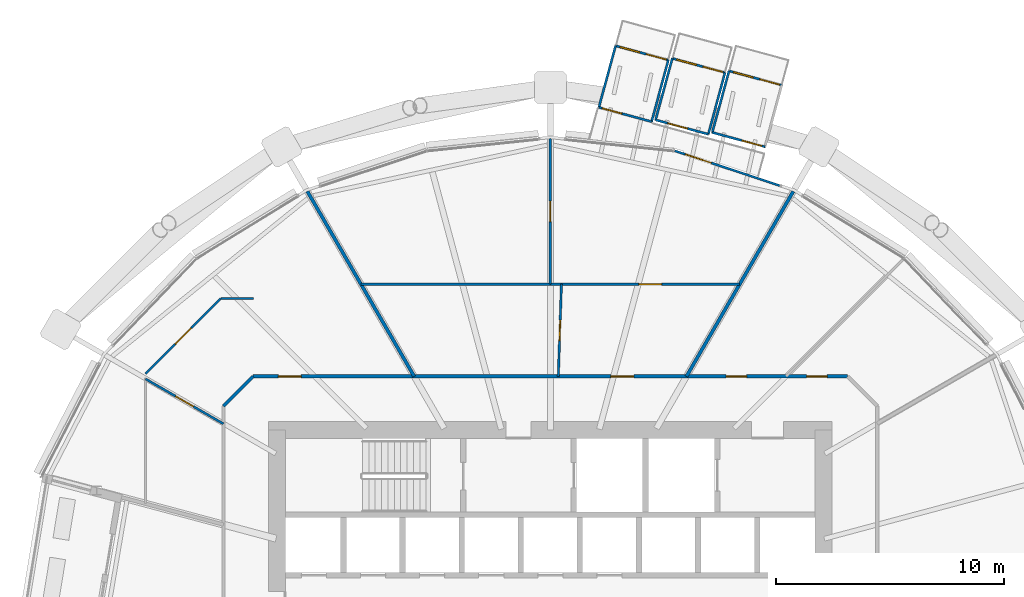
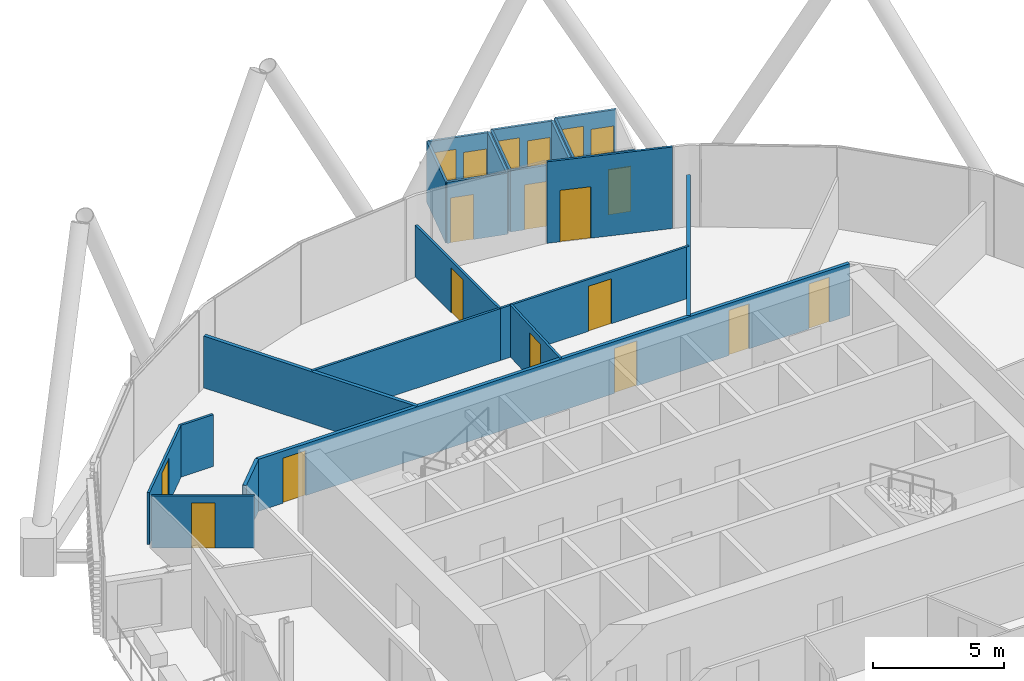
# One storey, part 26 of 38: 23 walls, 16 doors, 3 windows, 19 openings.
"""IFC4 building model written with IfcOpenShell, lengths in metres."""

import ifcopenshell
import ifcopenshell.guid

model = None  # the IFC model being written
_history = None  # IfcOwnerHistory: only IFC2X3 demands one
_inside = {}  # id of a spatial element -> (the spatial element, [elements in it])
_under = {}  # id of a project, library or spatial element -> (it, [spatial elements below it])
_declared = {}  # id of a project -> (the project, [libraries it declares])
_typed = {}  # id of a type object -> (the type object, [elements of that type])
_made_of = {}  # id of a material, layer set ... -> (it, [elements and type objects made of it])


def new_model(schema):
    """Start an empty IFC model of exactly this schema.

    Asked for "IFC4X3", IfcOpenShell would pick the latest addendum, in which some entities
    have other attributes; the version numbers below select the first issue.
    IFC2X3 requires an IfcOwnerHistory on every rooted entity: one is made here for all.
    """
    global model, _history
    if schema == "IFC4X3":
        model = ifcopenshell.file(schema_version=(4, 3, 0, 0))
    else:
        model = ifcopenshell.file(schema=schema)
    _inside.clear()
    _under.clear()
    _declared.clear()
    _typed.clear()
    _made_of.clear()
    _history = None
    if model.schema == "IFC2X3":
        org = make("IfcOrganization", Name="unknown")
        user = make(
            "IfcPersonAndOrganization",
            ThePerson=make("IfcPerson", FamilyName="unknown"),
            TheOrganization=org,
        )
        app = make(
            "IfcApplication",
            ApplicationDeveloper=org,
            Version="unknown",
            ApplicationFullName="unknown",
            ApplicationIdentifier="unknown",
        )
        _history = make(
            "IfcOwnerHistory",
            OwningUser=user,
            OwningApplication=app,
            ChangeAction="ADDED",
            CreationDate=0,
        )
    return model


def make(cls, **values):
    """One entity of the class cls with the attributes given. An attribute that is None is left unset."""
    return model.create_entity(
        cls, **{name: value for name, value in values.items() if value is not None}
    )


def rooted(cls, **values):
    """An entity with a GlobalId (a new one), such as an element, a storey or a relation."""
    return make(cls, GlobalId=ifcopenshell.guid.new(), OwnerHistory=_history, **values)


def si_unit(unit_type, name, prefix=None):
    """IfcSIUnit, for example si_unit("LENGTHUNIT", "METRE", prefix="MILLI")."""
    return make("IfcSIUnit", UnitType=unit_type, Prefix=prefix, Name=name)


def assignment(units):
    """IfcUnitAssignment: the units of a project."""
    return None if units is None else make("IfcUnitAssignment", Units=units)


def point(xyz):
    """IfcCartesianPoint."""
    return None if xyz is None else make("IfcCartesianPoint", Coordinates=xyz)


def direction(xyz):
    """IfcDirection."""
    return None if xyz is None else make("IfcDirection", DirectionRatios=xyz)


def frame(location, z_axis=None, x_axis=None):
    """IfcAxis2Placement3D, a coordinate frame: its origin and axes. An axis left out is left unset."""
    return make(
        "IfcAxis2Placement3D",
        Location=point(location),
        Axis=direction(z_axis),
        RefDirection=direction(x_axis),
    )


def frame_2d(location, x_axis=None):
    """IfcAxis2Placement2D, a coordinate frame in the plane: its origin and x axis."""
    return make(
        "IfcAxis2Placement2D", Location=point(location), RefDirection=direction(x_axis)
    )


def origin():
    """The frame at (0, 0, 0) with its axes left unset."""
    return frame((0.0, 0.0, 0.0))


def place(relative_to, where):
    """IfcLocalPlacement: puts the frame where relative to a parent placement (None: the world)."""
    return make(
        "IfcLocalPlacement", PlacementRelTo=relative_to, RelativePlacement=where
    )


def context(
    kind, dimensions, precision=None, world=None, true_north=None, identifier=None
):
    """IfcGeometricRepresentationContext, for example the 3D "Model" context."""
    return make(
        "IfcGeometricRepresentationContext",
        ContextIdentifier=identifier,
        ContextType=kind,
        CoordinateSpaceDimension=dimensions,
        Precision=precision,
        WorldCoordinateSystem=world,
        TrueNorth=true_north,
    )


def subcontext(parent, identifier, kind, view, scale=None):
    """IfcGeometricRepresentationSubContext, for example "Body" below "Model"."""
    return make(
        "IfcGeometricRepresentationSubContext",
        ContextIdentifier=identifier,
        ContextType=kind,
        ParentContext=parent,
        TargetScale=scale,
        TargetView=view,
    )


def project(units=None, contexts=None):
    """IfcProject with its units and contexts."""
    return rooted(
        "IfcProject",
        Name="project",
        RepresentationContexts=contexts,
        UnitsInContext=assignment(units),
    )


def spatial(cls, under=None, at=None, **own):
    """A site, building, storey or space (cls), placed at a placement, below another one or the project."""
    s = rooted(cls, ObjectPlacement=at, **own)
    if under is not None:
        _under.setdefault(under.id(), (under, []))[1].append(s)
    return s


def profile(cls, at=None, kind="AREA", **sizes):
    """A parametric profile (cls). Its sizes go by their IFC names, for example OverallWidth=200.0."""
    return make(cls, ProfileType=kind, Position=at, **sizes)


def rectangle(**sizes):
    """IfcRectangleProfileDef."""
    return profile("IfcRectangleProfileDef", **sizes)


def extrude(swept, where, along, depth):
    """IfcExtrudedAreaSolid: the profile swept, set in the frame where, extruded along a direction by depth."""
    return make(
        "IfcExtrudedAreaSolid",
        SweptArea=swept,
        Position=where,
        ExtrudedDirection=direction(along),
        Depth=depth,
    )


def shape(context_of_items, identifier, shape_type, items):
    """IfcShapeRepresentation: the items that make up one representation, for example the "Body"."""
    return make(
        "IfcShapeRepresentation",
        ContextOfItems=context_of_items,
        RepresentationIdentifier=identifier,
        RepresentationType=shape_type,
        Items=items,
    )


def material(Name=None, Category=None):
    """IfcMaterial."""
    return make("IfcMaterial", Name=Name, Category=Category)


def layer(
    of_material, thickness, ventilated=None, Name=None, Category=None, Priority=None
):
    """IfcMaterialLayer: one layer of a wall or slab, of a material (None: an air gap)."""
    return make(
        "IfcMaterialLayer",
        Material=of_material,
        LayerThickness=thickness,
        IsVentilated=ventilated,
        Name=Name,
        Category=Category,
        Priority=Priority,
    )


def layer_set(layers, Name=None):
    """IfcMaterialLayerSet."""
    return make("IfcMaterialLayerSet", MaterialLayers=layers, LayerSetName=Name)


def made_of(thing, what):
    """Note that an element or type object is made of a material, layer set ...; save() writes the relation."""
    if what is not None:
        _made_of.setdefault(what.id(), (what, []))[1].append(thing)
    return thing


def type_object(cls, material=None, **own):
    """A type object (cls), such as IfcWallType, which elements share."""
    return made_of(rooted(cls, **own), material)


def element(
    cls,
    number,
    at=None,
    inside=None,
    cuts=None,
    type_object=None,
    material=None,
    context=None,
    identifier="Body",
    shape_type=None,
    held_by="IfcProductDefinitionShape",
    body=None,
    shapes=None,
    **own,
):
    """One element of the class cls, such as IfcWall. Its Tag is "e" and its number.

    at: its placement. inside: the storey or other place that contains it. cuts: it is an
    opening in that element (IfcRelVoidsElement). A single representation is given by context,
    identifier, shape_type and body (its items); several are given by shapes. held_by: the class
    of the entity that holds the representations. save() writes the other relations.
    """
    e = rooted(cls, Tag="e%d" % number, ObjectPlacement=at, **own)
    if body is not None:
        shapes = [shape(context, identifier, shape_type, body)]
    if shapes is not None:
        e.Representation = make(held_by, Representations=shapes)
    if inside is not None:
        _inside.setdefault(inside.id(), (inside, []))[1].append(e)
    if cuts is not None:
        rooted(
            "IfcRelVoidsElement", RelatingBuildingElement=cuts, RelatedOpeningElement=e
        )
    if type_object is not None:
        _typed.setdefault(type_object.id(), (type_object, []))[1].append(e)
    return made_of(e, material)


def fill(opening, filler):
    """IfcRelFillsElement: the door or window that sits in an opening."""
    return rooted(
        "IfcRelFillsElement",
        RelatingOpeningElement=opening,
        RelatedBuildingElement=filler,
    )


def aggregate(whole, parts):
    """IfcRelAggregates: a whole, such as a stair, and the parts it consists of."""
    return rooted("IfcRelAggregates", RelatingObject=whole, RelatedObjects=parts)


def save(model, path):
    """Write the relations noted so far, then the file.

    IfcRelAggregates (storeys below a building ...), IfcRelContainedInSpatialStructure (elements
    in a storey), IfcRelDefinesByType, IfcRelAssociatesMaterial and IfcRelDeclares: one each for
    every whole, place, type object, material and project.
    """
    for whole, parts in _under.values():
        aggregate(whole, parts)
    for where, things in _inside.values():
        rooted(
            "IfcRelContainedInSpatialStructure",
            RelatedElements=things,
            RelatingStructure=where,
        )
    for kind, things in _typed.values():
        rooted("IfcRelDefinesByType", RelatedObjects=things, RelatingType=kind)
    for what, things in _made_of.values():
        rooted("IfcRelAssociatesMaterial", RelatedObjects=things, RelatingMaterial=what)
    for by, libraries in _declared.values():
        rooted("IfcRelDeclares", RelatingContext=by, RelatedDefinitions=libraries)
    model.write(path)


model = new_model("IFC4")

# Units and contexts
model_context = context("Model", 3, precision=1e-05, world=origin(), true_north=direction((0.0, 1.0)))
body_context = subcontext(model_context, "Body", "Model", "MODEL_VIEW")
ifc_project = project(units=[si_unit("LENGTHUNIT", "METRE"), si_unit("AREAUNIT", "SQUARE_METRE"), si_unit("VOLUMEUNIT", "CUBIC_METRE"), si_unit("PLANEANGLEUNIT", "RADIAN"), si_unit("MASSUNIT", "GRAM", prefix="KILO")], contexts=[model_context])

# Site, building, storey
site_placement = place(None, origin())
site = spatial("IfcSite", under=ifc_project, at=site_placement, CompositionType="ELEMENT")
building_placement = place(site_placement, origin())
building = spatial("IfcBuilding", under=site, at=building_placement, Name="Rimbun Link Towers", CompositionType="ELEMENT")
storey_placement = place(building_placement, frame((0.0, 0.0, 104.39990234375)))
storey = spatial("IfcBuildingStorey", under=building, at=storey_placement, Name="L25", CompositionType="ELEMENT", Elevation=104.39990234375)

# Wall, openings, door, window
ifc_material_1 = material(Name="Terracotta-faced insulated sandwich panel", Category="masonry")
ifc_layer_1 = layer(ifc_material_1, 0.10009765625)
ifc_layer_set_1 = layer_set([ifc_layer_1], Name="CAPSULE entrance panel 100")
wall_type_1 = type_object("IfcWallType", Name="CAPSULE entrance panel 100", PredefinedType="STANDARD", material=ifc_layer_set_1)
wall_1_placement = place(storey_placement, frame((-26.569580078125, 24.237060546875, 0.0), z_axis=(0.0, 0.0, 1.0), x_axis=(-0.965089355796, 0.261920856996, 0.0)))
wall_1 = element("IfcWall", 1, at=wall_1_placement, inside=storey, type_object=wall_type_1, Name="CAPSULE D251.01 shell panel 2", PredefinedType="STANDARD", context=body_context, shape_type="SweptSolid", body=[
    extrude(rectangle(XDim=2.400146484375, YDim=0.10009765625, at=frame_2d((1.2001953125, 0.0))), origin(), (0.0, 0.0, 1.0), 2.85009765625),
])
opening_1_placement = place(wall_1_placement, frame((0.10009765625, 0.0, 0.0)))
opening_1 = element("IfcOpeningElement", 2, at=opening_1_placement, cuts=wall_1, Name="Opening CD25.01", PredefinedType="OPENING", context=body_context, shape_type="SweptSolid", body=[
    extrude(rectangle(XDim=0.89990234375, YDim=2.10009765625, at=frame_2d((0.449951171875, 1.050048828125))), frame((0.0, 0.06005859375, 0.0), z_axis=(0.0, -1.0, 0.0), x_axis=(1.0, 0.0, 0.0)), (0.0, 0.0, 1.0), 0.1201171875),
])
opening_2_placement = place(wall_1_placement, frame((1.300048828125, 0.0, 0.89990234375)))
opening_2 = element("IfcOpeningElement", 3, at=opening_2_placement, cuts=wall_1, Name="Opening CN25.01", PredefinedType="OPENING", context=body_context, shape_type="SweptSolid", body=[
    extrude(rectangle(XDim=0.89990234375, YDim=1.39990234375, at=frame_2d((0.449951171875, 0.699951171875))), frame((0.0, 0.06005859375, 0.0), z_axis=(0.0, -1.0, 0.0), x_axis=(1.0, 0.0, 0.0)), (0.0, 0.0, 1.0), 0.1201171875),
])
ifc_material_2 = material(Name="Aluminium framed insulated door leaf", Category="aluminium")
door_type_1 = type_object("IfcDoorType", Name="CAPSULE door single leaf 900X2100", OperationType="SINGLE_SWING_LEFT", PredefinedType="DOOR", material=ifc_material_2)
door_1_placement = place(opening_1_placement, origin())
door_1 = element("IfcDoor", 4, at=door_1_placement, inside=storey, type_object=door_type_1, Name="CAPSULE D251.01 door", OperationType="SINGLE_SWING_LEFT", OverallHeight=2.10009765625, OverallWidth=0.89990234375, PredefinedType="DOOR", context=body_context, shape_type="SweptSolid", body=[
    extrude(rectangle(XDim=0.89990234375, YDim=2.10009765625, at=frame_2d((0.449951171875, 1.050048828125))), frame((0.0, 0.02490234375, 0.0), z_axis=(0.0, -1.0, 0.0), x_axis=(1.0, 0.0, 0.0)), (0.0, 0.0, 1.0), 0.050048828125),
])
fill(opening_1, door_1)
ifc_material_3 = material(Name="Aluminium framed window, low-iron glass", Category="aluminium")
window_type = type_object("IfcWindowType", Name="CAPSULE window 900X1400", PartitioningType="SINGLE_PANEL", PredefinedType="WINDOW", material=ifc_material_3)
window_1_placement = place(opening_2_placement, origin())
window_1 = element("IfcWindow", 5, at=window_1_placement, inside=storey, type_object=window_type, Name="CAPSULE D251.01 window", OverallHeight=1.39990234375, OverallWidth=0.89990234375, PartitioningType="SINGLE_PANEL", PredefinedType="WINDOW", context=body_context, shape_type="SweptSolid", body=[
    extrude(rectangle(XDim=0.89990234375, YDim=1.39990234375, at=frame_2d((0.449951171875, 0.699951171875))), frame((0.0, 0.030029296875, 0.0), z_axis=(0.0, -1.0, 0.0), x_axis=(1.0, 0.0, 0.0)), (0.0, 0.0, 1.0), 0.06005859375),
])
fill(opening_2, window_1)

# Wall, opening, door
wall_2_placement = place(storey_placement, frame((-29.619140625, 22.163330078125, 0.0), z_axis=(0.0, 0.0, 1.0), x_axis=(0.965108089312, -0.261851820585, 0.0)))
wall_2 = element("IfcWall", 6, at=wall_2_placement, inside=storey, type_object=wall_type_1, Name="CAPSULE D251.01 shell panel 4", PredefinedType="STANDARD", context=body_context, shape_type="SweptSolid", body=[
    extrude(rectangle(XDim=2.39990234375, YDim=0.10009765625, at=frame_2d((1.199951171875, 0.0))), origin(), (0.0, 0.0, 1.0), 2.85009765625),
])
opening_3_placement = place(wall_2_placement, frame((0.14990234375, 0.0, 0.0)))
opening_3 = element("IfcOpeningElement", 7, at=opening_3_placement, cuts=wall_2, Name="Opening CE25.01", PredefinedType="OPENING", context=body_context, shape_type="SweptSolid", body=[
    extrude(rectangle(XDim=0.89990234375, YDim=2.10009765625, at=frame_2d((0.449951171875, 1.050048828125))), frame((0.0, 0.06005859375, 0.0), z_axis=(0.0, -1.0, 0.0), x_axis=(1.0, 0.0, 0.0)), (0.0, 0.0, 1.0), 0.1201171875),
])
door_2_placement = place(opening_3_placement, origin())
door_2 = element("IfcDoor", 8, at=door_2_placement, inside=storey, type_object=door_type_1, Name="CAPSULE D251.01 inner door", OperationType="SINGLE_SWING_LEFT", OverallHeight=2.10009765625, OverallWidth=0.89990234375, PredefinedType="DOOR", context=body_context, shape_type="SweptSolid", body=[
    extrude(rectangle(XDim=0.89990234375, YDim=2.10009765625, at=frame_2d((0.449951171875, 1.050048828125))), frame((0.0, 0.02490234375, 0.0), z_axis=(0.0, -1.0, 0.0), x_axis=(1.0, 0.0, 0.0)), (0.0, 0.0, 1.0), 0.050048828125),
])
fill(opening_3, door_2)

# Wall, openings, door, window
wall_3_placement = place(storey_placement, frame((-24.080078125, 23.685791015625, 0.0), z_axis=(0.0, 0.0, 1.0), x_axis=(-0.965108089312, 0.261851820585, 0.0)))
wall_3 = element("IfcWall", 9, at=wall_3_placement, inside=storey, type_object=wall_type_1, Name="CAPSULE D251.02 shell panel 2", PredefinedType="STANDARD", context=body_context, shape_type="SweptSolid", body=[
    extrude(rectangle(XDim=2.39990234375, YDim=0.10009765625, at=frame_2d((1.199951171875, 0.0))), origin(), (0.0, 0.0, 1.0), 2.85009765625),
])
opening_4_placement = place(wall_3_placement, frame((0.10009765625, 0.0, 0.0)))
opening_4 = element("IfcOpeningElement", 10, at=opening_4_placement, cuts=wall_3, Name="Opening CD25.02", PredefinedType="OPENING", context=body_context, shape_type="SweptSolid", body=[
    extrude(rectangle(XDim=0.89990234375, YDim=2.10009765625, at=frame_2d((0.449951171875, 1.050048828125))), frame((0.0, 0.06005859375, 0.0), z_axis=(0.0, -1.0, 0.0), x_axis=(1.0, 0.0, 0.0)), (0.0, 0.0, 1.0), 0.1201171875),
])
opening_5_placement = place(wall_3_placement, frame((1.300048828125, 0.0, 0.89990234375)))
opening_5 = element("IfcOpeningElement", 11, at=opening_5_placement, cuts=wall_3, Name="Opening CN25.02", PredefinedType="OPENING", context=body_context, shape_type="SweptSolid", body=[
    extrude(rectangle(XDim=0.89990234375, YDim=1.39990234375, at=frame_2d((0.449951171875, 0.699951171875))), frame((0.0, 0.06005859375, 0.0), z_axis=(0.0, -1.0, 0.0), x_axis=(1.0, 0.0, 0.0)), (0.0, 0.0, 1.0), 0.1201171875),
])
door_3_placement = place(opening_4_placement, origin())
door_3 = element("IfcDoor", 12, at=door_3_placement, inside=storey, type_object=door_type_1, Name="CAPSULE D251.02 door", OperationType="SINGLE_SWING_RIGHT", OverallHeight=2.10009765625, OverallWidth=0.89990234375, PredefinedType="DOOR", context=body_context, shape_type="SweptSolid", body=[
    extrude(rectangle(XDim=0.89990234375, YDim=2.10009765625, at=frame_2d((0.449951171875, 1.050048828125))), frame((0.0, 0.02490234375, 0.0), z_axis=(0.0, -1.0, 0.0), x_axis=(1.0, 0.0, 0.0)), (0.0, 0.0, 1.0), 0.050048828125),
])
fill(opening_4, door_3)
window_2_placement = place(opening_5_placement, origin())
window_2 = element("IfcWindow", 13, at=window_2_placement, inside=storey, type_object=window_type, Name="CAPSULE D251.02 window", OverallHeight=1.39990234375, OverallWidth=0.89990234375, PartitioningType="SINGLE_PANEL", PredefinedType="WINDOW", context=body_context, shape_type="SweptSolid", body=[
    extrude(rectangle(XDim=0.89990234375, YDim=1.39990234375, at=frame_2d((0.449951171875, 0.699951171875))), frame((0.0, 0.030029296875, 0.0), z_axis=(0.0, -1.0, 0.0), x_axis=(1.0, 0.0, 0.0)), (0.0, 0.0, 1.0), 0.06005859375),
])
fill(opening_5, window_2)

# Wall, opening, door
wall_4_placement = place(storey_placement, frame((-27.12939453125, 21.61181640625, 0.0), z_axis=(0.0, 0.0, 1.0), x_axis=(0.965108089312, -0.261851820585, 0.0)))
wall_4 = element("IfcWall", 14, at=wall_4_placement, inside=storey, type_object=wall_type_1, Name="CAPSULE D251.02 shell panel 4", PredefinedType="STANDARD", context=body_context, shape_type="SweptSolid", body=[
    extrude(rectangle(XDim=2.39990234375, YDim=0.10009765625, at=frame_2d((1.199951171875, 0.0))), origin(), (0.0, 0.0, 1.0), 2.85009765625),
])
opening_6_placement = place(wall_4_placement, frame((0.550048828125, 0.0, 0.0)))
opening_6 = element("IfcOpeningElement", 15, at=opening_6_placement, cuts=wall_4, Name="Opening CE25.02", PredefinedType="OPENING", context=body_context, shape_type="SweptSolid", body=[
    extrude(rectangle(XDim=0.89990234375, YDim=2.10009765625, at=frame_2d((0.449951171875, 1.050048828125))), frame((0.0, 0.06005859375, 0.0), z_axis=(0.0, -1.0, 0.0), x_axis=(1.0, 0.0, 0.0)), (0.0, 0.0, 1.0), 0.1201171875),
])
door_4_placement = place(opening_6_placement, origin())
door_4 = element("IfcDoor", 16, at=door_4_placement, inside=storey, type_object=door_type_1, Name="CAPSULE D251.02 inner door", OperationType="SINGLE_SWING_LEFT", OverallHeight=2.10009765625, OverallWidth=0.89990234375, PredefinedType="DOOR", context=body_context, shape_type="SweptSolid", body=[
    extrude(rectangle(XDim=0.89990234375, YDim=2.10009765625, at=frame_2d((0.449951171875, 1.050048828125))), frame((0.0, 0.02490234375, 0.0), z_axis=(0.0, -1.0, 0.0), x_axis=(1.0, 0.0, 0.0)), (0.0, 0.0, 1.0), 0.050048828125),
])
fill(opening_6, door_4)

# Wall, openings, door, window
wall_5_placement = place(storey_placement, frame((-21.59033203125, 23.13427734375, 0.0), z_axis=(0.0, 0.0, 1.0), x_axis=(-0.965082376735, 0.261946571107, 0.0)))
wall_5 = element("IfcWall", 17, at=wall_5_placement, inside=storey, type_object=wall_type_1, Name="CAPSULE D251.03 shell panel 2", PredefinedType="STANDARD", context=body_context, shape_type="SweptSolid", body=[
    extrude(rectangle(XDim=2.39990234375, YDim=0.10009765625, at=frame_2d((1.199951171875, 0.0))), origin(), (0.0, 0.0, 1.0), 2.85009765625),
])
opening_7_placement = place(wall_5_placement, frame((0.10009765625, 0.0, 0.0)))
opening_7 = element("IfcOpeningElement", 18, at=opening_7_placement, cuts=wall_5, Name="Opening CD25.03", PredefinedType="OPENING", context=body_context, shape_type="SweptSolid", body=[
    extrude(rectangle(XDim=0.89990234375, YDim=2.10009765625, at=frame_2d((0.449951171875, 1.050048828125))), frame((0.0, 0.06005859375, 0.0), z_axis=(0.0, -1.0, 0.0), x_axis=(1.0, 0.0, 0.0)), (0.0, 0.0, 1.0), 0.1201171875),
])
opening_8_placement = place(wall_5_placement, frame((1.300048828125, 0.0, 0.89990234375)))
opening_8 = element("IfcOpeningElement", 19, at=opening_8_placement, cuts=wall_5, Name="Opening CN25.03", PredefinedType="OPENING", context=body_context, shape_type="SweptSolid", body=[
    extrude(rectangle(XDim=0.89990234375, YDim=1.39990234375, at=frame_2d((0.449951171875, 0.699951171875))), frame((0.0, 0.06005859375, 0.0), z_axis=(0.0, -1.0, 0.0), x_axis=(1.0, 0.0, 0.0)), (0.0, 0.0, 1.0), 0.1201171875),
])
door_5_placement = place(opening_7_placement, origin())
door_5 = element("IfcDoor", 20, at=door_5_placement, inside=storey, type_object=door_type_1, Name="CAPSULE D251.03 door", OperationType="SINGLE_SWING_LEFT", OverallHeight=2.10009765625, OverallWidth=0.89990234375, PredefinedType="DOOR", context=body_context, shape_type="SweptSolid", body=[
    extrude(rectangle(XDim=0.89990234375, YDim=2.10009765625, at=frame_2d((0.449951171875, 1.050048828125))), frame((0.0, 0.02490234375, 0.0), z_axis=(0.0, -1.0, 0.0), x_axis=(1.0, 0.0, 0.0)), (0.0, 0.0, 1.0), 0.050048828125),
])
fill(opening_7, door_5)
window_3_placement = place(opening_8_placement, origin())
window_3 = element("IfcWindow", 21, at=window_3_placement, inside=storey, type_object=window_type, Name="CAPSULE D251.03 window", OverallHeight=1.39990234375, OverallWidth=0.89990234375, PartitioningType="SINGLE_PANEL", PredefinedType="WINDOW", context=body_context, shape_type="SweptSolid", body=[
    extrude(rectangle(XDim=0.89990234375, YDim=1.39990234375, at=frame_2d((0.449951171875, 0.699951171875))), frame((0.0, 0.030029296875, 0.0), z_axis=(0.0, -1.0, 0.0), x_axis=(1.0, 0.0, 0.0)), (0.0, 0.0, 1.0), 0.06005859375),
])
fill(opening_8, window_3)

# Wall, opening, door
wall_6_placement = place(storey_placement, frame((-24.639892578125, 21.060546875, 0.0), z_axis=(0.0, 0.0, 1.0), x_axis=(0.965115063511, -0.261826114405, 0.0)))
wall_6 = element("IfcWall", 22, at=wall_6_placement, inside=storey, type_object=wall_type_1, Name="CAPSULE D251.03 shell panel 4", PredefinedType="STANDARD", context=body_context, shape_type="SweptSolid", body=[
    extrude(rectangle(XDim=2.400146484375, YDim=0.10009765625, at=frame_2d((1.2001953125, 0.0))), origin(), (0.0, 0.0, 1.0), 2.85009765625),
])
opening_9_placement = place(wall_6_placement, frame((1.35009765625, 0.0, 0.0)))
opening_9 = element("IfcOpeningElement", 23, at=opening_9_placement, cuts=wall_6, Name="Opening CE25.03", PredefinedType="OPENING", context=body_context, shape_type="SweptSolid", body=[
    extrude(rectangle(XDim=0.89990234375, YDim=2.10009765625, at=frame_2d((0.449951171875, 1.050048828125))), frame((0.0, 0.06005859375, 0.0), z_axis=(0.0, -1.0, 0.0), x_axis=(1.0, 0.0, 0.0)), (0.0, 0.0, 1.0), 0.1201171875),
])
door_6_placement = place(opening_9_placement, origin())
door_6 = element("IfcDoor", 24, at=door_6_placement, inside=storey, type_object=door_type_1, Name="CAPSULE D251.03 inner door", OperationType="SINGLE_SWING_LEFT", OverallHeight=2.10009765625, OverallWidth=0.89990234375, PredefinedType="DOOR", context=body_context, shape_type="SweptSolid", body=[
    extrude(rectangle(XDim=0.89990234375, YDim=2.10009765625, at=frame_2d((0.449951171875, 1.050048828125))), frame((0.0, 0.02490234375, 0.0), z_axis=(0.0, -1.0, 0.0), x_axis=(1.0, 0.0, 0.0)), (0.0, 0.0, 1.0), 0.050048828125),
])
fill(opening_9, door_6)

# Walls
ifc_material_4 = material(Name="Terracotta-faced insulated sandwich panel", Category="masonry")
ifc_layer_2 = layer(ifc_material_4, 0.10009765625)
ifc_layer_set_2 = layer_set([ifc_layer_2], Name="CAPSULE shell panel 100")
wall_type_2 = type_object("IfcWallType", Name="CAPSULE shell panel 100", PredefinedType="STANDARD", material=ifc_layer_set_2)
wall_7_placement = place(storey_placement, frame((-27.302978515625, 21.534912109375, 0.0), z_axis=(0.0, 0.0, 1.0), x_axis=(0.261936709462, 0.965085053369, 0.0)))
element("IfcWall", 25, at=wall_7_placement, inside=storey, type_object=wall_type_2, Name="CAPSULE D251.01 shell panel 1", PredefinedType="STANDARD", context=body_context, shape_type="SweptSolid", body=[
    extrude(rectangle(XDim=2.7998046875, YDim=0.10009765625, at=frame_2d((1.39990234375, 0.0))), origin(), (0.0, 0.0, 1.0), 2.85009765625),
])
for number, where, z_axis, x_axis, name in (
    (26, (-28.885986328125, 24.86572265625, 0.0), (0.0, 0.0, 1.0), (-0.261833458532, -0.965113071092, 0.0), "CAPSULE D251.01 shell panel 3"),
    (27, (-24.813232421875, 20.9833984375, 0.0), (0.0, 0.0, 1.0), (0.261833458532, 0.965113071092, 0.0), "CAPSULE D251.02 shell panel 1"),
    (28, (-26.396240234375, 24.314208984375, 0.0), (0.0, 0.0, 1.0), (-0.261833458532, -0.965113071092, 0.0), "CAPSULE D251.02 shell panel 3"),
    (29, (-23.906494140625, 23.762939453125, 0.0), (0.0, 0.0, 1.0), (-0.261914668873, -0.965091035203, 0.0), "CAPSULE D251.03 shell panel 3"),
):
    element("IfcWall", number, at=place(storey_placement, frame(where, z_axis=z_axis, x_axis=x_axis)), inside=storey, type_object=wall_type_2, Name=name, PredefinedType="STANDARD", context=body_context, shape_type="SweptSolid", body=[
        extrude(rectangle(XDim=2.800048828125, YDim=0.10009765625, at=frame_2d((1.39990234375, 0.0))), origin(), (0.0, 0.0, 1.0), 2.85009765625),
    ])

# Wall, openings, doors
ifc_material_5 = material(Name="Plasterboard on steel stud, mineral wool", Category="steel")
ifc_layer_3 = layer(ifc_material_5, 0.14990234375)
ifc_layer_set_3 = layer_set([ifc_layer_3], Name="Corridor wall EI 30 150 mm")
wall_type_3 = type_object("IfcWallType", Name="Corridor wall EI 30 150 mm", PredefinedType="PARTITIONING", material=ifc_layer_set_3)
wall_8_placement = place(storey_placement, frame((-44.8017578125, 10.35009765625, 0.0), z_axis=(0.0, 0.0, 1.0), x_axis=(1.0, 0.0, 0.0)))
wall_8 = element("IfcWall", 30, at=wall_8_placement, inside=storey, type_object=wall_type_3, Name="Corridor wall EI 30 150 mm", PredefinedType="PARTITIONING", context=body_context, shape_type="SweptSolid", body=[
    extrude(rectangle(XDim=26.103515625, YDim=0.14990234375, at=frame_2d((13.0517578125, 0.0))), origin(), (0.0, 0.0, 1.0), 2.420166015625),
])
opening_10_placement = place(wall_8_placement, frame((24.302490234375, 0.0, 0.0)))
opening_10 = element("IfcOpeningElement", 31, at=opening_10_placement, cuts=wall_8, Name="Opening D02", PredefinedType="OPENING", context=body_context, shape_type="SweptSolid", body=[
    extrude(rectangle(XDim=0.89990234375, YDim=2.10009765625, at=frame_2d((0.449951171875, 1.050048828125))), frame((0.0, 0.0849609375, 0.0), z_axis=(0.0, -1.0, 0.0), x_axis=(1.0, 0.0, 0.0)), (0.0, 0.0, 1.0), 0.169921875),
])
opening_11_placement = place(wall_8_placement, frame((20.764404296875, 0.0, 0.0)))
opening_11 = element("IfcOpeningElement", 32, at=opening_11_placement, cuts=wall_8, Name="Opening D02", PredefinedType="OPENING", context=body_context, shape_type="SweptSolid", body=[
    extrude(rectangle(XDim=0.89990234375, YDim=2.10009765625, at=frame_2d((0.449951171875, 1.050048828125))), frame((0.0, 0.0849609375, 0.0), z_axis=(0.0, -1.0, 0.0), x_axis=(1.0, 0.0, 0.0)), (0.0, 0.0, 1.0), 0.169921875),
])
opening_12_placement = place(wall_8_placement, frame((15.714599609375, 0.0, 0.0)))
opening_12 = element("IfcOpeningElement", 33, at=opening_12_placement, cuts=wall_8, Name="Opening D01", PredefinedType="OPENING", context=body_context, shape_type="SweptSolid", body=[
    extrude(rectangle(XDim=1.0, YDim=2.10009765625, at=frame_2d((0.5, 1.050048828125))), frame((0.0, 0.0849609375, 0.0), z_axis=(0.0, -1.0, 0.0), x_axis=(1.0, 0.0, 0.0)), (0.0, 0.0, 1.0), 0.169921875),
])
opening_13_placement = place(wall_8_placement, frame((1.1123046875, 0.0, 0.0)))
opening_13 = element("IfcOpeningElement", 34, at=opening_13_placement, cuts=wall_8, Name="Opening D01", PredefinedType="OPENING", context=body_context, shape_type="SweptSolid", body=[
    extrude(rectangle(XDim=1.0, YDim=2.10009765625, at=frame_2d((0.5, 1.050048828125))), frame((0.0, 0.0849609375, 0.0), z_axis=(0.0, -1.0, 0.0), x_axis=(1.0, 0.0, 0.0)), (0.0, 0.0, 1.0), 0.169921875),
])
ifc_material_6 = material(Name="Fire-resisting timber door leaf", Category="wood")
door_type_2 = type_object("IfcDoorType", Name="Fire door FD30S 1000", OperationType="NOTDEFINED", PredefinedType="DOOR", material=ifc_material_6)
door_7_placement = place(opening_12_placement, origin())
door_7 = element("IfcDoor", 35, at=door_7_placement, inside=storey, type_object=door_type_2, Name="Fire door FD30S 1000 to Reception", OperationType="SINGLE_SWING_LEFT", OverallHeight=2.10009765625, OverallWidth=1.0, PredefinedType="DOOR", context=body_context, shape_type="SweptSolid", body=[
    extrude(rectangle(XDim=1.0, YDim=2.10009765625, at=frame_2d((0.5, 1.050048828125))), frame((0.0, 0.02490234375, 0.0), z_axis=(0.0, -1.0, 0.0), x_axis=(1.0, 0.0, 0.0)), (0.0, 0.0, 1.0), 0.050048828125),
])
fill(opening_12, door_7)
door_8_placement = place(opening_13_placement, origin())
door_8 = element("IfcDoor", 36, at=door_8_placement, inside=storey, type_object=door_type_2, Name="Fire door FD30S 1000 to Reception", OperationType="SINGLE_SWING_RIGHT", OverallHeight=2.10009765625, OverallWidth=1.0, PredefinedType="DOOR", context=body_context, shape_type="SweptSolid", body=[
    extrude(rectangle(XDim=1.0, YDim=2.10009765625, at=frame_2d((0.5, 1.050048828125))), frame((0.0, 0.02490234375, 0.0), z_axis=(0.0, -1.0, 0.0), x_axis=(1.0, 0.0, 0.0)), (0.0, 0.0, 1.0), 0.050048828125),
])
fill(opening_13, door_8)
ifc_material_7 = material(Name="Fire-resisting timber door leaf", Category="wood")
door_type_3 = type_object("IfcDoorType", Name="Fire door FD30S 900", OperationType="NOTDEFINED", PredefinedType="DOOR", material=ifc_material_7)
door_9_placement = place(opening_10_placement, origin())
door_9 = element("IfcDoor", 37, at=door_9_placement, inside=storey, type_object=door_type_3, Name="Fire door FD30S 900 to Cellular office", OperationType="SINGLE_SWING_RIGHT", OverallHeight=2.10009765625, OverallWidth=0.89990234375, PredefinedType="DOOR", context=body_context, shape_type="SweptSolid", body=[
    extrude(rectangle(XDim=0.89990234375, YDim=2.10009765625, at=frame_2d((0.449951171875, 1.050048828125))), frame((0.0, 0.02490234375, 0.0), z_axis=(0.0, -1.0, 0.0), x_axis=(1.0, 0.0, 0.0)), (0.0, 0.0, 1.0), 0.050048828125),
])
fill(opening_10, door_9)
door_10_placement = place(opening_11_placement, origin())
door_10 = element("IfcDoor", 38, at=door_10_placement, inside=storey, type_object=door_type_3, Name="Fire door FD30S 900 to Cellular office", OperationType="SINGLE_SWING_RIGHT", OverallHeight=2.10009765625, OverallWidth=0.89990234375, PredefinedType="DOOR", context=body_context, shape_type="SweptSolid", body=[
    extrude(rectangle(XDim=0.89990234375, YDim=2.10009765625, at=frame_2d((0.449951171875, 1.050048828125))), frame((0.0, 0.02490234375, 0.0), z_axis=(0.0, -1.0, 0.0), x_axis=(1.0, 0.0, 0.0)), (0.0, 0.0, 1.0), 0.050048828125),
])
fill(opening_11, door_10)

# Wall
wall_9_placement = place(storey_placement, frame((-44.8017578125, 10.35009765625, 0.0), z_axis=(0.0, 0.0, 1.0), x_axis=(-0.707106781187, -0.707106781187, 0.0)))
element("IfcWall", 39, at=wall_9_placement, inside=storey, type_object=wall_type_3, Name="Corridor wall EI 30 150 mm", PredefinedType="PARTITIONING", context=body_context, shape_type="SweptSolid", body=[
    extrude(rectangle(XDim=1.836181640625, YDim=0.14990234375, at=frame_2d((0.91796875, 0.0))), origin(), (0.0, 0.0, 1.0), 2.420166015625),
])

# Wall, opening, door
ifc_material_8 = material(Name="Aluminium framed insulated infill panel", Category="aluminium")
ifc_layer_4 = layer(ifc_material_8, 0.10009765625)
ifc_layer_set_4 = layer_set([ifc_layer_4], Name="ED framed infill wall 100")
wall_type_4 = type_object("IfcWallType", Name="ED framed infill wall 100", PredefinedType="STANDARD", material=ifc_layer_set_4)
wall_10_placement = place(storey_placement, frame((-26.298095703125, 20.2587890625, 0.0), z_axis=(0.0, 0.0, 1.0), x_axis=(0.94923087406, -0.314580272317, 0.0)))
wall_10 = element("IfcWall", 40, at=wall_10_placement, inside=storey, type_object=wall_type_4, Name="Framed door bay wall", PredefinedType="STANDARD", context=body_context, shape_type="SweptSolid", body=[
    extrude(rectangle(XDim=4.8916015625, YDim=0.10009765625, at=frame_2d((2.44580078125, 0.0))), origin(), (0.0, 0.0, 1.0), 3.800048828125),
])
opening_14_placement = place(wall_10_placement, frame((0.501708984375, 0.0, 0.0)))
opening_14 = element("IfcOpeningElement", 41, at=opening_14_placement, cuts=wall_10, Name="Opening ED88", PredefinedType="OPENING", context=body_context, shape_type="SweptSolid", body=[
    extrude(rectangle(XDim=1.199951171875, YDim=2.39990234375, at=frame_2d((0.60009765625, 1.199951171875))), frame((0.0, 0.06005859375, 0.0), z_axis=(0.0, -1.0, 0.0), x_axis=(1.0, 0.0, 0.0)), (0.0, 0.0, 1.0), 0.1201171875),
])
ifc_material_9 = material(Name="Aluminium framed glazed door, low-iron glass", Category="aluminium")
door_type_4 = type_object("IfcDoorType", Name="ED terrace door double leaf 1200X2400", OperationType="DOUBLE_DOOR_SINGLE_SWING", PredefinedType="DOOR", material=ifc_material_9)
door_11_placement = place(opening_14_placement, origin())
door_11 = element("IfcDoor", 42, at=door_11_placement, inside=storey, type_object=door_type_4, Name="Terrace door", OperationType="SINGLE_SWING_LEFT", OverallHeight=2.39990234375, OverallWidth=1.199951171875, PredefinedType="DOOR", context=body_context, shape_type="SweptSolid", body=[
    extrude(rectangle(XDim=1.199951171875, YDim=2.39990234375, at=frame_2d((0.60009765625, 1.199951171875))), frame((0.0, 0.02490234375, 0.0), z_axis=(0.0, -1.0, 0.0), x_axis=(1.0, 0.0, 0.0)), (0.0, 0.0, 1.0), 0.050048828125),
])
fill(opening_14, door_11)

ifc_material_10 = material(Name="Plasterboard on steel stud", Category="steel")
ifc_layer_5 = layer(ifc_material_10, 0.10009765625)
ifc_layer_set_5 = layer_set([ifc_layer_5], Name="Plasterboard partition 100 mm")
wall_type_5 = type_object("IfcWallType", Name="Plasterboard partition 100 mm", PredefinedType="PARTITIONING", material=ifc_layer_set_5)
wall_11_placement = place(storey_placement, frame((-31.399658203125, 10.35009765625, 0.0), z_axis=(0.0, 0.0, 1.0), x_axis=(0.03380030433, 0.999428606468, 0.0)))
wall_11 = element("IfcWall", 43, at=wall_11_placement, inside=storey, type_object=wall_type_5, Name="Plasterboard partition 100 mm", PredefinedType="PARTITIONING", context=body_context, shape_type="SweptSolid", body=[
    extrude(rectangle(XDim=4.052001953125, YDim=0.10009765625, at=frame_2d((2.02587890625, 0.0))), origin(), (0.0, 0.0, 1.0), 2.420166015625),
])
opening_15_placement = place(wall_11_placement, frame((1.576171875, 0.0, 0.0)))
opening_15 = element("IfcOpeningElement", 44, at=opening_15_placement, cuts=wall_11, Name="Opening D04", PredefinedType="OPENING", context=body_context, shape_type="SweptSolid", body=[
    extrude(rectangle(XDim=0.89990234375, YDim=2.10009765625, at=frame_2d((0.449951171875, 1.050048828125))), frame((0.0, 0.06005859375, 0.0), z_axis=(0.0, -1.0, 0.0), x_axis=(1.0, 0.0, 0.0)), (0.0, 0.0, 1.0), 0.1201171875),
])
ifc_material_11 = material(Name="Timber door leaf", Category="wood")
door_type_5 = type_object("IfcDoorType", Name="Flush door 900", OperationType="NOTDEFINED", PredefinedType="DOOR", material=ifc_material_11)
door_12_placement = place(opening_15_placement, origin())
door_12 = element("IfcDoor", 45, at=door_12_placement, inside=storey, type_object=door_type_5, Name="Flush door 900 to Pantry", OperationType="SINGLE_SWING_LEFT", OverallHeight=2.10009765625, OverallWidth=0.89990234375, PredefinedType="DOOR", context=body_context, shape_type="SweptSolid", body=[
    extrude(rectangle(XDim=0.89990234375, YDim=2.10009765625, at=frame_2d((0.449951171875, 1.050048828125))), frame((0.0, 0.02490234375, 0.0), z_axis=(0.0, -1.0, 0.0), x_axis=(1.0, 0.0, 0.0)), (0.0, 0.0, 1.0), 0.050048828125),
])
fill(opening_15, door_12)

wall_12_placement = place(storey_placement, frame((-31.75, 14.39990234375, 0.0), z_axis=(0.0, 0.0, 1.0), x_axis=(1.0, 0.0, 0.0)))
wall_12 = element("IfcWall", 46, at=wall_12_placement, inside=storey, type_object=wall_type_5, Name="Plasterboard partition 100 mm", PredefinedType="PARTITIONING", context=body_context, shape_type="SweptSolid", body=[
    extrude(rectangle(XDim=8.31396484375, YDim=0.10009765625, at=frame_2d((4.156982421875, 0.0))), origin(), (0.0, 0.0, 1.0), 2.420166015625),
])
opening_16_placement = place(wall_12_placement, frame((3.885498046875, 0.0, 0.0)))
opening_16 = element("IfcOpeningElement", 47, at=opening_16_placement, cuts=wall_12, Name="Opening D03", PredefinedType="OPENING", context=body_context, shape_type="SweptSolid", body=[
    extrude(rectangle(XDim=1.0, YDim=2.10009765625, at=frame_2d((0.5, 1.050048828125))), frame((0.0, 0.06005859375, 0.0), z_axis=(0.0, -1.0, 0.0), x_axis=(1.0, 0.0, 0.0)), (0.0, 0.0, 1.0), 0.1201171875),
])
ifc_material_12 = material(Name="Timber door leaf", Category="wood")
door_type_6 = type_object("IfcDoorType", Name="Flush door 1000", OperationType="NOTDEFINED", PredefinedType="DOOR", material=ifc_material_12)
door_13_placement = place(opening_16_placement, origin())
door_13 = element("IfcDoor", 48, at=door_13_placement, inside=storey, type_object=door_type_6, Name="Flush door 1000 to Boardroom", OperationType="SINGLE_SWING_RIGHT", OverallHeight=2.10009765625, OverallWidth=1.0, PredefinedType="DOOR", context=body_context, shape_type="SweptSolid", body=[
    extrude(rectangle(XDim=1.0, YDim=2.10009765625, at=frame_2d((0.5, 1.050048828125))), frame((0.0, 0.02490234375, 0.0), z_axis=(0.0, -1.0, 0.0), x_axis=(1.0, 0.0, 0.0)), (0.0, 0.0, 1.0), 0.050048828125),
])
fill(opening_16, door_13)

# Wall
wall_13_placement = place(storey_placement, frame((-31.75, 14.39990234375, 0.0), z_axis=(0.0, 0.0, 1.0), x_axis=(-1.0, 0.0, 0.0)))
element("IfcWall", 49, at=wall_13_placement, inside=storey, type_object=wall_type_5, Name="Plasterboard partition 100 mm", PredefinedType="PARTITIONING", context=body_context, shape_type="SweptSolid", body=[
    extrude(rectangle(XDim=8.31396484375, YDim=0.10009765625, at=frame_2d((4.156982421875, 0.0))), origin(), (0.0, 0.0, 1.0), 2.420166015625),
])

# Wall, opening, door
wall_14_placement = place(storey_placement, frame((-31.75, 14.39990234375, 0.0), z_axis=(0.0, 0.0, 1.0), x_axis=(0.0, 1.0, 0.0)))
wall_14 = element("IfcWall", 50, at=wall_14_placement, inside=storey, type_object=wall_type_5, Name="Plasterboard partition 100 mm", PredefinedType="PARTITIONING", context=body_context, shape_type="SweptSolid", body=[
    extrude(rectangle(XDim=6.38818359375, YDim=0.10009765625, at=frame_2d((3.194091796875, 0.0))), origin(), (0.0, 0.0, 1.0), 2.420166015625),
])
opening_17_placement = place(wall_14_placement, frame((2.743896484375, 0.0, 0.0)))
opening_17 = element("IfcOpeningElement", 51, at=opening_17_placement, cuts=wall_14, Name="Opening D04", PredefinedType="OPENING", context=body_context, shape_type="SweptSolid", body=[
    extrude(rectangle(XDim=0.89990234375, YDim=2.10009765625, at=frame_2d((0.449951171875, 1.050048828125))), frame((0.0, 0.06005859375, 0.0), z_axis=(0.0, -1.0, 0.0), x_axis=(1.0, 0.0, 0.0)), (0.0, 0.0, 1.0), 0.1201171875),
])
door_14_placement = place(opening_17_placement, origin())
door_14 = element("IfcDoor", 52, at=door_14_placement, inside=storey, type_object=door_type_5, Name="Flush door 900 to Meeting room", OperationType="SINGLE_SWING_LEFT", OverallHeight=2.10009765625, OverallWidth=0.89990234375, PredefinedType="DOOR", context=body_context, shape_type="SweptSolid", body=[
    extrude(rectangle(XDim=0.89990234375, YDim=2.10009765625, at=frame_2d((0.449951171875, 1.050048828125))), frame((0.0, 0.02490234375, 0.0), z_axis=(0.0, -1.0, 0.0), x_axis=(1.0, 0.0, 0.0)), (0.0, 0.0, 1.0), 0.050048828125),
])
fill(opening_17, door_14)

wall_15_placement = place(storey_placement, frame((-46.10009765625, 8.26953125, 0.0), z_axis=(0.0, 0.0, 1.0), x_axis=(-0.866414091521, 0.499326167965, 0.0)))
wall_15 = element("IfcWall", 53, at=wall_15_placement, inside=storey, type_object=wall_type_5, Name="Plasterboard partition 100 mm", PredefinedType="PARTITIONING", context=body_context, shape_type="SweptSolid", body=[
    extrude(rectangle(XDim=3.947265625, YDim=0.10009765625, at=frame_2d((1.9736328125, 0.0))), origin(), (0.0, 0.0, 1.0), 2.420166015625),
])
opening_18_placement = place(wall_15_placement, frame((1.523681640625, 0.0, 0.0)))
opening_18 = element("IfcOpeningElement", 54, at=opening_18_placement, cuts=wall_15, Name="Opening D04", PredefinedType="OPENING", context=body_context, shape_type="SweptSolid", body=[
    extrude(rectangle(XDim=0.89990234375, YDim=2.10009765625, at=frame_2d((0.449951171875, 1.050048828125))), frame((0.0, 0.06005859375, 0.0), z_axis=(0.0, -1.0, 0.0), x_axis=(1.0, 0.0, 0.0)), (0.0, 0.0, 1.0), 0.1201171875),
])
door_15_placement = place(opening_18_placement, origin())
door_15 = element("IfcDoor", 55, at=door_15_placement, inside=storey, type_object=door_type_5, Name="Flush door 900 to Meeting room", OperationType="SINGLE_SWING_RIGHT", OverallHeight=2.10009765625, OverallWidth=0.89990234375, PredefinedType="DOOR", context=body_context, shape_type="SweptSolid", body=[
    extrude(rectangle(XDim=0.89990234375, YDim=2.10009765625, at=frame_2d((0.449951171875, 1.050048828125))), frame((0.0, 0.02490234375, 0.0), z_axis=(0.0, -1.0, 0.0), x_axis=(1.0, 0.0, 0.0)), (0.0, 0.0, 1.0), 0.050048828125),
])
fill(opening_18, door_15)

wall_16_placement = place(storey_placement, frame((-49.52001953125, 10.46826171875, 0.0), z_axis=(0.0, 0.0, 1.0), x_axis=(0.707106781187, 0.707106781187, 0.0)))
wall_16 = element("IfcWall", 56, at=wall_16_placement, inside=storey, type_object=wall_type_5, Name="Plasterboard partition 100 mm", PredefinedType="PARTITIONING", context=body_context, shape_type="SweptSolid", body=[
    extrude(rectangle(XDim=4.66943359375, YDim=0.10009765625, at=frame_2d((2.334716796875, 0.0))), origin(), (0.0, 0.0, 1.0), 2.420166015625),
])
opening_19_placement = place(wall_16_placement, frame((1.834716796875, 0.0, 0.0)))
opening_19 = element("IfcOpeningElement", 57, at=opening_19_placement, cuts=wall_16, Name="Opening D03", PredefinedType="OPENING", context=body_context, shape_type="SweptSolid", body=[
    extrude(rectangle(XDim=1.0, YDim=2.10009765625, at=frame_2d((0.5, 1.050048828125))), frame((0.0, 0.06005859375, 0.0), z_axis=(0.0, -1.0, 0.0), x_axis=(1.0, 0.0, 0.0)), (0.0, 0.0, 1.0), 0.1201171875),
])
door_16_placement = place(opening_19_placement, origin())
door_16 = element("IfcDoor", 58, at=door_16_placement, inside=storey, type_object=door_type_6, Name="Flush door 1000 to Open office", OperationType="SINGLE_SWING_LEFT", OverallHeight=2.10009765625, OverallWidth=1.0, PredefinedType="DOOR", context=body_context, shape_type="SweptSolid", body=[
    extrude(rectangle(XDim=1.0, YDim=2.10009765625, at=frame_2d((0.5, 1.050048828125))), frame((0.0, 0.02490234375, 0.0), z_axis=(0.0, -1.0, 0.0), x_axis=(1.0, 0.0, 0.0)), (0.0, 0.0, 1.0), 0.050048828125),
])
fill(opening_19, door_16)

# Walls
wall_17_placement = place(storey_placement, frame((-44.78271484375, 13.77001953125, 0.0), z_axis=(0.0, 0.0, 1.0), x_axis=(-1.0, 0.0, 0.0)))
element("IfcWall", 59, at=wall_17_placement, inside=storey, type_object=wall_type_5, Name="Plasterboard partition 100 mm", PredefinedType="PARTITIONING", context=body_context, shape_type="SweptSolid", body=[
    extrude(rectangle(XDim=1.435546875, YDim=0.10009765625, at=frame_2d((0.7177734375, 0.0))), origin(), (0.0, 0.0, 1.0), 2.420166015625),
])
ifc_material_13 = material(Name="Plasterboard on steel stud, mineral wool", Category="steel")
ifc_layer_6 = layer(ifc_material_13, 0.14990234375)
ifc_layer_set_6 = layer_set([ifc_layer_6], Name="Tenancy separation wall EI 60 150 mm")
wall_type_6 = type_object("IfcWallType", Name="Tenancy separation wall EI 60 150 mm", PredefinedType="PARTITIONING", material=ifc_layer_set_6)
for number, where, z_axis, x_axis, name in (
    (60, (-25.7744140625, 10.35009765625, 0.0), (0.0, 0.0, 1.0), (0.500000186108, 0.866025296335, 0.0), "Tenancy separation wall EI 60 150 mm"),
    (61, (-37.7255859375, 10.35009765625, 0.0), (0.0, 0.0, 1.0), (-0.500000186108, 0.866025296335, 0.0), "Tenancy separation wall EI 60 150 mm"),
):
    element("IfcWall", number, at=place(storey_placement, frame(where, z_axis=z_axis, x_axis=x_axis)), inside=storey, type_object=wall_type_6, Name=name, PredefinedType="PARTITIONING", context=body_context, shape_type="SweptSolid", body=[
        extrude(rectangle(XDim=9.384765625, YDim=0.14990234375, at=frame_2d((4.6923828125, 0.0))), origin(), (0.0, 0.0, 1.0), 2.420166015625),
    ])

save(model, "model.ifc")
